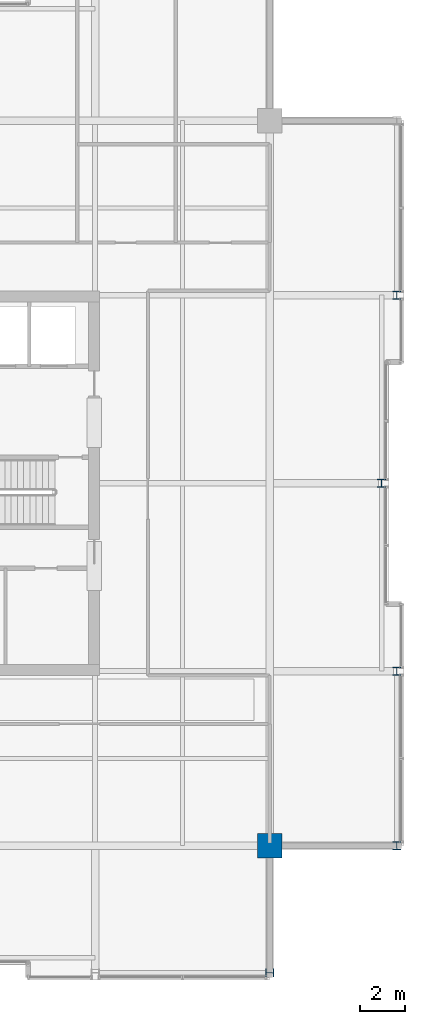
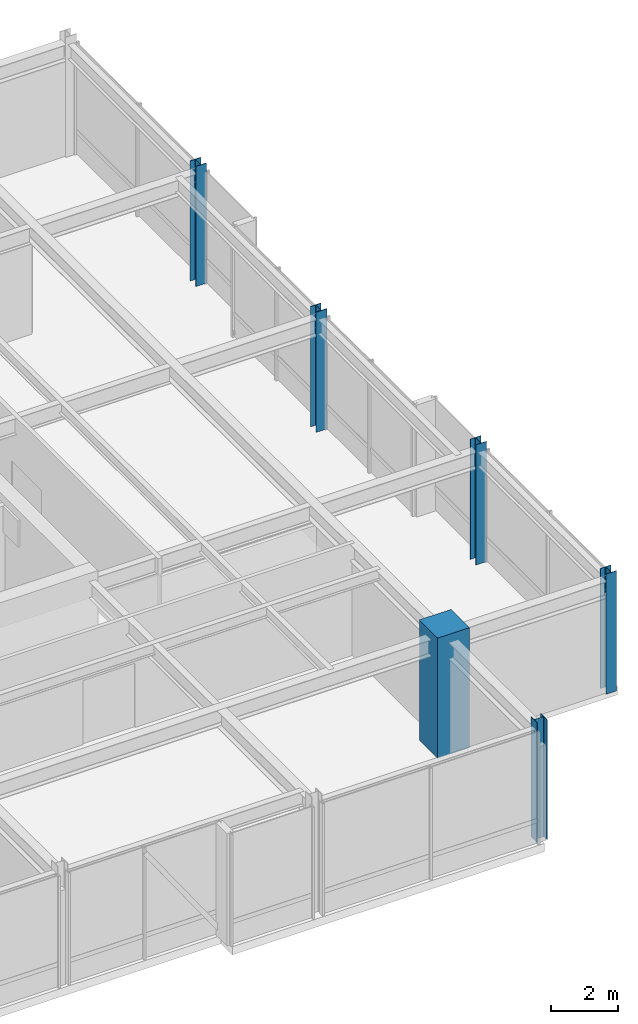
# One storey, part 2 of 34: 6 columns.
"""IFC4 building model written with IfcOpenShell, lengths in metres."""

from ifc_helpers import new_model, si_unit, direction, frame, origin, origin_2d, place, context, subcontext, project, spatial, rectangle, i_section, extrude, material, material_profile, profile_set, type_object, element, save


model = new_model("IFC4")

# Units and contexts
model_context = context("Model", 3, precision=1e-05, world=origin(), true_north=direction((0.0, 1.0)))
body_context = subcontext(model_context, "Body", "Model", "MODEL_VIEW")
ifc_project = project(units=[si_unit("LENGTHUNIT", "METRE"), si_unit("AREAUNIT", "SQUARE_METRE"), si_unit("VOLUMEUNIT", "CUBIC_METRE"), si_unit("PLANEANGLEUNIT", "RADIAN"), si_unit("MASSUNIT", "GRAM", prefix="KILO")], contexts=[model_context])

# Site, building, storey
site_placement = place(None, origin())
site = spatial("IfcSite", under=ifc_project, at=site_placement, CompositionType="ELEMENT")
building_placement = place(site_placement, origin())
building = spatial("IfcBuilding", under=site, at=building_placement, Name="Drelvath Grand Hotel", CompositionType="ELEMENT")
storey_placement = place(building_placement, frame((0.0, 0.0, 294.199951171875)))
storey = spatial("IfcBuildingStorey", under=building, at=storey_placement, Name="L77", CompositionType="ELEMENT", Elevation=294.199951171875)

# Columns
ifc_material_1 = material(Name="Concrete f'c 55 MPa", Category="concrete")
ifc_material_profile_1 = material_profile(ifc_material_1, rectangle(XDim=1.10009765625, YDim=1.10009765625, at=origin_2d()), Name="MC1100X1100")
ifc_profile_set_1 = profile_set([ifc_material_profile_1], Name="Concrete f'c 55 MPa")
column_type_1 = type_object("IfcColumnType", Name="Composite Mega Column MC1100X1100", PredefinedType="COLUMN", material=ifc_profile_set_1)
column_placement = place(storey_placement, frame((16.199951171875, 10.800048828125, 0.0), z_axis=(0.0, 0.0, 1.0), x_axis=(1.0, 0.0, 0.0)))
element("IfcColumn", 1, at=column_placement, inside=storey, type_object=column_type_1, Name="L77 Composite Mega Column MC-SE", PredefinedType="COLUMN", context=body_context, shape_type="SweptSolid", body=[
    extrude(rectangle(XDim=1.10009765625, YDim=1.10009765625, at=origin_2d()), origin(), (0.0, 0.0, 1.0), 4.400146484375),
])
ifc_material_2 = material(Name="Steel ASTM A913 Gr 65", Category="steel")
ifc_material_profile_2 = material_profile(ifc_material_2, i_section(OverallWidth=0.368896484375, OverallDepth=0.356201171875, WebThickness=0.01123046875, FlangeThickness=0.01806640625, FilletRadius=0.02490234375, at=origin_2d()), Name="W14X90")
ifc_profile_set_2 = profile_set([ifc_material_profile_2], Name="Steel ASTM A913 Gr 65")
column_type_2 = type_object("IfcColumnType", Name="Perimeter Steel Column W14X90", PredefinedType="COLUMN", material=ifc_profile_set_2)
for number, where, z_axis, x_axis, name in (
    (2, (21.8798828125, 10.800048828125, 0.0), (0.0, 0.0, 1.0), (1.0, 0.0, 0.0), "L77 Structural Column TCE-C"),
    (3, (21.8798828125, 18.60009765625, 0.0), (0.0, 0.0, 1.0), (1.0, 0.0, 0.0), "L77 Structural Column TCE-D"),
    (4, (21.199951171875, 27.0, 0.0), (0.0, 0.0, 1.0), (1.0, 0.0, 0.0), "L77 Structural Column TCE-E"),
    (5, (21.8798828125, 35.39990234375, 0.0), (0.0, 0.0, 1.0), (1.0, 0.0, 0.0), "L77 Structural Column TCE-F"),
    (6, (16.199951171875, 5.1201171875, 0.0), (0.0, 0.0, 1.0), (0.0, 1.0, 0.0), "L77 Structural Column TCS-7"),
):
    element("IfcColumn", number, at=place(storey_placement, frame(where, z_axis=z_axis, x_axis=x_axis)), inside=storey, type_object=column_type_2, Name=name, PredefinedType="COLUMN", context=body_context, shape_type="SweptSolid", body=[
        extrude(i_section(OverallWidth=0.368896484375, OverallDepth=0.356201171875, WebThickness=0.01123046875, FlangeThickness=0.01806640625, FilletRadius=0.02490234375, at=origin_2d()), origin(), (0.0, 0.0, 1.0), 4.39697265625),
    ])

save(model, "model.ifc")
